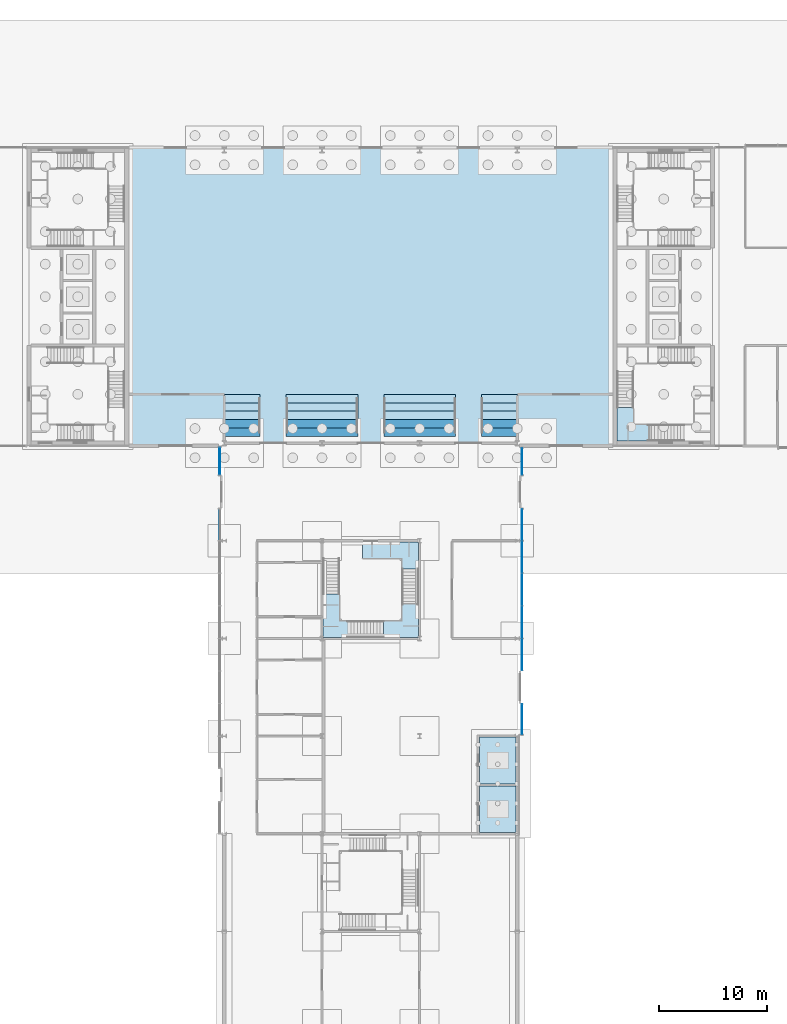
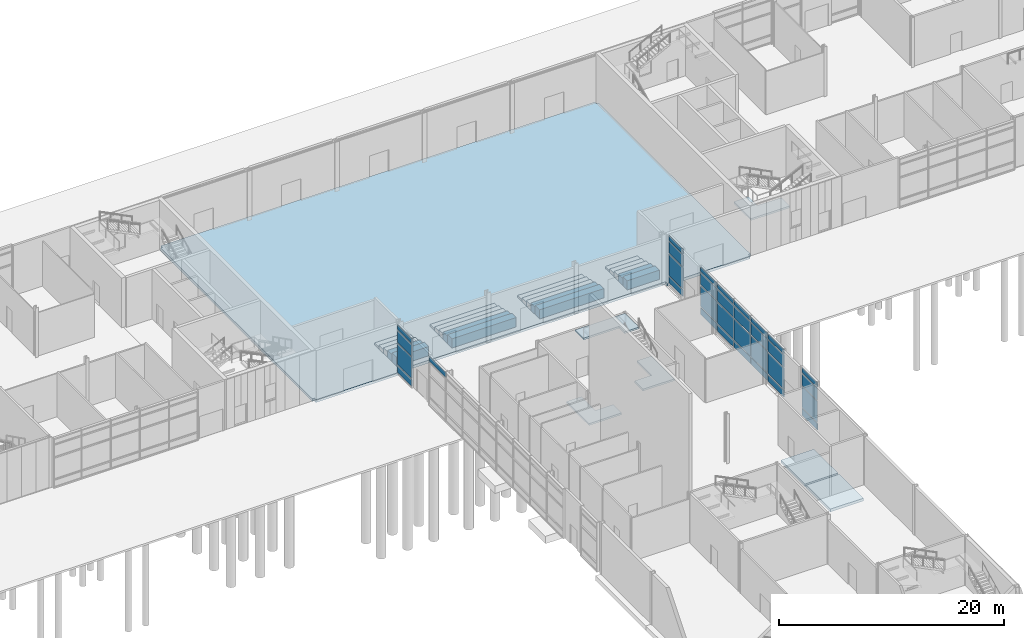
# One storey, part 23 of 45: 33 plates, 27 slabs, 7 elements without a shape of their own.
"""IFC4 building model written with IfcOpenShell, lengths in metres."""

from ifc_helpers import new_model, si_unit, direction, frame, origin, origin_2d, place, context, subcontext, project, spatial, polyline, rectangle, outline, extrude, material, layer, layer_set, type_object, element, aggregate, save


model = new_model("IFC4")

# Units and contexts
model_context = context("Model", 3, precision=1e-05, world=origin(), true_north=direction((0.0, 1.0)))
body_context = subcontext(model_context, "Body", "Model", "MODEL_VIEW")
ifc_project = project(units=[si_unit("LENGTHUNIT", "METRE"), si_unit("AREAUNIT", "SQUARE_METRE"), si_unit("VOLUMEUNIT", "CUBIC_METRE"), si_unit("PLANEANGLEUNIT", "RADIAN"), si_unit("MASSUNIT", "GRAM", prefix="KILO")], contexts=[model_context])

# Site, building, storey
site_placement = place(None, origin())
site = spatial("IfcSite", under=ifc_project, at=site_placement, CompositionType="ELEMENT")
building_placement = place(site_placement, origin())
building = spatial("IfcBuilding", under=site, at=building_placement, Name="Azimuth Sports and Learning Centre", CompositionType="ELEMENT")
storey_placement = place(building_placement, origin())
storey = spatial("IfcBuildingStorey", under=building, at=storey_placement, Name="L00", CompositionType="ELEMENT", Elevation=0.0)

# Stair, slab
ifc_material_1 = material(Name="Concrete C32/40", Category="concrete")
stair_type_1 = type_object("IfcStairType", Name="Square-well stair core 5400 storey", PredefinedType="THREE_QUARTER_TURN_STAIR", material=ifc_material_1)
stair_1_placement = place(storey_placement, origin())
stair_1 = element("IfcStair", 1, at=stair_1_placement, inside=storey, type_object=stair_type_1, Name="Stair E1 L00-L01", PredefinedType="THREE_QUARTER_TURN_STAIR")
ifc_material_2 = material(Name="Concrete C32/40", Category="concrete")
ifc_layer_1 = layer(ifc_material_2, 0.199951171875)
ifc_layer_set_1 = layer_set([ifc_layer_1], Name="Concrete C32/40")
slab_type_1 = type_object("IfcSlabType", Name="Concrete stair landing", PredefinedType="LANDING", material=ifc_layer_set_1)
slab_1_placement = place(storey_placement, frame((0.0, 0.0, 3.39990234375)))
slab_1 = element("IfcSlab", 2, at=slab_1_placement, type_object=slab_type_1, Name="Stair E1 L00 landing 2", PredefinedType="LANDING", context=body_context, shape_type="SweptSolid", body=[
    extrude(outline(polyline([(109.7099609375, 91.7099609375), (109.7099609375, 93.290771484375), (108.2099609375, 93.290771484375), (108.2099609375, 90.2099609375), (112.159912109375, 90.2099609375), (112.159912109375, 91.7099609375), (109.7099609375, 91.7099609375)])), origin(), (0.0, 0.0, 1.0), 0.2001953125),
])
aggregate(stair_1, [slab_1])

# Stair, slabs
ifc_material_3 = material(Name="Concrete C32/40", Category="concrete")
stair_type_2 = type_object("IfcStairType", Name="Square-well stair stem cell 5400 storey", PredefinedType="THREE_QUARTER_TURN_STAIR", material=ifc_material_3)
stair_2_placement = place(storey_placement, origin())
stair_2 = element("IfcStair", 3, at=stair_2_placement, inside=storey, type_object=stair_type_2, Name="Stair STD L00-L01", PredefinedType="THREE_QUARTER_TURN_STAIR")
slab_2_placement = place(storey_placement, frame((0.0, 0.0, 1.60009765625)))
slab_2 = element("IfcSlab", 4, at=slab_2_placement, type_object=slab_type_1, Name="Stair STD L00 landing 1", PredefinedType="LANDING", context=body_context, shape_type="SweptSolid", body=[
    extrude(outline(polyline([(82.610107421875, 73.610107421875), (82.610107421875, 76.0908203125), (81.110107421875, 76.0908203125), (81.110107421875, 72.110107421875), (84.4599609375, 72.110107421875), (84.4599609375, 73.610107421875), (82.610107421875, 73.610107421875)])), origin(), (0.0, 0.0, 1.0), 0.199951171875),
])
slab_3_placement = place(storey_placement, frame((0.0, 0.0, 3.39990234375)))
slab_3 = element("IfcSlab", 5, at=slab_3_placement, type_object=slab_type_1, Name="Stair STD L00 landing 2", PredefinedType="LANDING", context=body_context, shape_type="SweptSolid", body=[
    extrude(outline(polyline([(88.389892578125, 73.610107421875), (86.6591796875, 73.610107421875), (86.6591796875, 72.110107421875), (89.889892578125, 72.110107421875), (89.889892578125, 76.2099609375), (88.389892578125, 76.2099609375), (88.389892578125, 73.610107421875)])), origin(), (0.0, 0.0, 1.0), 0.2001953125),
])
slab_4_placement = place(storey_placement, frame((0.0, 0.0, 5.199951171875)))
slab_4 = element("IfcSlab", 6, at=slab_4_placement, type_object=slab_type_1, Name="Stair STD L00 landing 3", PredefinedType="LANDING", context=body_context, shape_type="SweptSolid", body=[
    extrude(outline(polyline([(88.389892578125, 79.389892578125), (88.389892578125, 78.4091796875), (89.889892578125, 78.4091796875), (89.889892578125, 80.889892578125), (84.75, 80.889892578125), (84.75, 79.389892578125), (88.389892578125, 79.389892578125)])), origin(), (0.0, 0.0, 1.0), 0.199951171875),
])
aggregate(stair_2, [slab_2, slab_3, slab_4])

# Slabs
ifc_material_4 = material(Name="Concrete C30/37", Category="concrete")
ifc_layer_2 = layer(ifc_material_4, 0.300048828125)
ifc_layer_set_2 = layer_set([ifc_layer_2], Name="Concrete C30/37")
slab_type_2 = type_object("IfcSlabType", Name="Hall ground slab 300", PredefinedType="BASESLAB", material=ifc_layer_set_2)
slab_5_placement = place(storey_placement, frame((0.0, 0.0, -0.300048828125)))
element("IfcSlab", 7, at=slab_5_placement, inside=storey, type_object=slab_type_2, Name="Slab HALL L00", PredefinedType="BASESLAB", context=body_context, shape_type="SweptSolid", body=[
    extrude(outline(polyline([(63.199951171875, 89.699951171875), (71.699951171875, 89.699951171875), (71.699951171875, 90.0), (99.300048828125, 90.0), (99.300048828125, 89.699951171875), (107.800048828125, 89.699951171875), (107.800048828125, 90.0), (108.0, 90.0), (108.0, 117.0), (107.800048828125, 117.0), (107.800048828125, 117.300048828125), (63.199951171875, 117.300048828125), (63.199951171875, 117.0), (63.0, 117.0), (63.0, 90.0), (63.199951171875, 90.0), (63.199951171875, 89.699951171875)])), origin(), (0.0, 0.0, 1.0), 0.300048828125),
])
ifc_material_5 = material(Name="Concrete C32/40", Category="concrete")
ifc_layer_3 = layer(ifc_material_5, 0.300048828125)
ifc_layer_set_3 = layer_set([ifc_layer_3], Name="Concrete C32/40")
slab_type_3 = type_object("IfcSlabType", Name="Lift pit slab 300", PredefinedType="BASESLAB", material=ifc_layer_set_3)
slab_6_placement = place(storey_placement, frame((0.0, 0.0, -1.89990234375)))
element("IfcSlab", 8, at=slab_6_placement, inside=storey, type_object=slab_type_3, Name="Lift pit floor LS1", PredefinedType="BASESLAB", context=body_context, shape_type="SweptSolid", body=[
    extrude(outline(polyline([(95.5, 54.10009765625), (98.89990234375, 54.10009765625), (98.89990234375, 58.39990234375), (95.5, 58.39990234375), (95.5, 54.10009765625)])), origin(), (0.0, 0.0, 1.0), 0.2998046875),
])
slab_7_placement = place(storey_placement, frame((0.0, 0.0, -1.89990234375)))
element("IfcSlab", 9, at=slab_7_placement, inside=storey, type_object=slab_type_3, Name="Lift pit floor LS2", PredefinedType="BASESLAB", context=body_context, shape_type="SweptSolid", body=[
    extrude(outline(polyline([(95.5, 58.60009765625), (98.89990234375, 58.60009765625), (98.89990234375, 62.89990234375), (95.5, 62.89990234375), (95.5, 58.60009765625)])), origin(), (0.0, 0.0, 1.0), 0.2998046875),
])
ifc_material_6 = material(Name="Retractable bank decking on a telescopic frame")
ifc_layer_4 = layer(ifc_material_6, 1.0)
ifc_layer_set_4 = layer_set([ifc_layer_4], Name="Retractable bank decking on a telescopic frame")
slab_type_4 = type_object("IfcSlabType", Name="Retractable bank step 1000", PredefinedType="FLOOR", material=ifc_layer_set_4)
slab_8_placement = place(storey_placement, origin())
element("IfcSlab", 10, at=slab_8_placement, inside=storey, type_object=slab_type_4, Name="Retractable bank A segment 1 step 5", PredefinedType="FLOOR", context=body_context, shape_type="SweptSolid", body=[
    extrude(outline(polyline([(72.0, 90.60009765625), (75.300048828125, 90.60009765625), (75.300048828125, 91.3798828125), (72.0, 91.3798828125), (72.0, 90.60009765625)])), origin(), (0.0, 0.0, 1.0), 1.0),
])
slab_9_placement = place(storey_placement, origin())
element("IfcSlab", 11, at=slab_9_placement, inside=storey, type_object=slab_type_4, Name="Retractable bank A segment 2 step 5", PredefinedType="FLOOR", context=body_context, shape_type="SweptSolid", body=[
    extrude(outline(polyline([(77.699951171875, 90.60009765625), (84.300048828125, 90.60009765625), (84.300048828125, 91.3798828125), (77.699951171875, 91.3798828125), (77.699951171875, 90.60009765625)])), origin(), (0.0, 0.0, 1.0), 1.0),
])
slab_10_placement = place(storey_placement, origin())
element("IfcSlab", 12, at=slab_10_placement, inside=storey, type_object=slab_type_4, Name="Retractable bank A segment 3 step 5", PredefinedType="FLOOR", context=body_context, shape_type="SweptSolid", body=[
    extrude(outline(polyline([(86.699951171875, 90.60009765625), (93.300048828125, 90.60009765625), (93.300048828125, 91.3798828125), (86.699951171875, 91.3798828125), (86.699951171875, 90.60009765625)])), origin(), (0.0, 0.0, 1.0), 1.0),
])
slab_11_placement = place(storey_placement, origin())
element("IfcSlab", 13, at=slab_11_placement, inside=storey, type_object=slab_type_4, Name="Retractable bank A segment 4 step 5", PredefinedType="FLOOR", context=body_context, shape_type="SweptSolid", body=[
    extrude(outline(polyline([(95.699951171875, 90.60009765625), (99.0, 90.60009765625), (99.0, 91.3798828125), (95.699951171875, 91.3798828125), (95.699951171875, 90.60009765625)])), origin(), (0.0, 0.0, 1.0), 1.0),
])
ifc_material_7 = material(Name="Retractable bank decking on a telescopic frame")
ifc_layer_5 = layer(ifc_material_7, 0.199951171875)
ifc_layer_set_5 = layer_set([ifc_layer_5], Name="Retractable bank decking on a telescopic frame")
slab_type_5 = type_object("IfcSlabType", Name="Retractable bank step 200", PredefinedType="FLOOR", material=ifc_layer_set_5)
slab_12_placement = place(storey_placement, origin())
element("IfcSlab", 14, at=slab_12_placement, inside=storey, type_object=slab_type_5, Name="Retractable bank A segment 1 step 1", PredefinedType="FLOOR", context=body_context, shape_type="SweptSolid", body=[
    extrude(outline(polyline([(72.0, 93.719970703125), (75.300048828125, 93.719970703125), (75.300048828125, 94.5), (72.0, 94.5), (72.0, 93.719970703125)])), origin(), (0.0, 0.0, 1.0), 0.199951171875),
])
slab_13_placement = place(storey_placement, origin())
element("IfcSlab", 15, at=slab_13_placement, inside=storey, type_object=slab_type_5, Name="Retractable bank A segment 2 step 1", PredefinedType="FLOOR", context=body_context, shape_type="SweptSolid", body=[
    extrude(outline(polyline([(77.699951171875, 93.719970703125), (84.300048828125, 93.719970703125), (84.300048828125, 94.5), (77.699951171875, 94.5), (77.699951171875, 93.719970703125)])), origin(), (0.0, 0.0, 1.0), 0.199951171875),
])
slab_14_placement = place(storey_placement, origin())
element("IfcSlab", 16, at=slab_14_placement, inside=storey, type_object=slab_type_5, Name="Retractable bank A segment 3 step 1", PredefinedType="FLOOR", context=body_context, shape_type="SweptSolid", body=[
    extrude(outline(polyline([(86.699951171875, 93.719970703125), (93.300048828125, 93.719970703125), (93.300048828125, 94.5), (86.699951171875, 94.5), (86.699951171875, 93.719970703125)])), origin(), (0.0, 0.0, 1.0), 0.199951171875),
])
slab_15_placement = place(storey_placement, origin())
element("IfcSlab", 17, at=slab_15_placement, inside=storey, type_object=slab_type_5, Name="Retractable bank A segment 4 step 1", PredefinedType="FLOOR", context=body_context, shape_type="SweptSolid", body=[
    extrude(outline(polyline([(95.699951171875, 93.719970703125), (99.0, 93.719970703125), (99.0, 94.5), (95.699951171875, 94.5), (95.699951171875, 93.719970703125)])), origin(), (0.0, 0.0, 1.0), 0.199951171875),
])
ifc_material_8 = material(Name="Retractable bank decking on a telescopic frame")
ifc_layer_6 = layer(ifc_material_8, 0.39990234375)
ifc_layer_set_6 = layer_set([ifc_layer_6], Name="Retractable bank decking on a telescopic frame")
slab_type_6 = type_object("IfcSlabType", Name="Retractable bank step 400", PredefinedType="FLOOR", material=ifc_layer_set_6)
slab_16_placement = place(storey_placement, origin())
element("IfcSlab", 18, at=slab_16_placement, inside=storey, type_object=slab_type_6, Name="Retractable bank A segment 1 step 2", PredefinedType="FLOOR", context=body_context, shape_type="SweptSolid", body=[
    extrude(outline(polyline([(72.0, 92.93994140625), (75.300048828125, 92.93994140625), (75.300048828125, 93.719970703125), (72.0, 93.719970703125), (72.0, 92.93994140625)])), origin(), (0.0, 0.0, 1.0), 0.39990234375),
])
slab_17_placement = place(storey_placement, origin())
element("IfcSlab", 19, at=slab_17_placement, inside=storey, type_object=slab_type_6, Name="Retractable bank A segment 2 step 2", PredefinedType="FLOOR", context=body_context, shape_type="SweptSolid", body=[
    extrude(outline(polyline([(77.699951171875, 92.93994140625), (84.300048828125, 92.93994140625), (84.300048828125, 93.719970703125), (77.699951171875, 93.719970703125), (77.699951171875, 92.93994140625)])), origin(), (0.0, 0.0, 1.0), 0.39990234375),
])
slab_18_placement = place(storey_placement, origin())
element("IfcSlab", 20, at=slab_18_placement, inside=storey, type_object=slab_type_6, Name="Retractable bank A segment 3 step 2", PredefinedType="FLOOR", context=body_context, shape_type="SweptSolid", body=[
    extrude(outline(polyline([(86.699951171875, 92.93994140625), (93.300048828125, 92.93994140625), (93.300048828125, 93.719970703125), (86.699951171875, 93.719970703125), (86.699951171875, 92.93994140625)])), origin(), (0.0, 0.0, 1.0), 0.39990234375),
])
slab_19_placement = place(storey_placement, origin())
element("IfcSlab", 21, at=slab_19_placement, inside=storey, type_object=slab_type_6, Name="Retractable bank A segment 4 step 2", PredefinedType="FLOOR", context=body_context, shape_type="SweptSolid", body=[
    extrude(outline(polyline([(95.699951171875, 92.93994140625), (99.0, 92.93994140625), (99.0, 93.719970703125), (95.699951171875, 93.719970703125), (95.699951171875, 92.93994140625)])), origin(), (0.0, 0.0, 1.0), 0.39990234375),
])
ifc_material_9 = material(Name="Retractable bank decking on a telescopic frame")
ifc_layer_7 = layer(ifc_material_9, 0.60009765625)
ifc_layer_set_7 = layer_set([ifc_layer_7], Name="Retractable bank decking on a telescopic frame")
slab_type_7 = type_object("IfcSlabType", Name="Retractable bank step 600", PredefinedType="FLOOR", material=ifc_layer_set_7)
slab_20_placement = place(storey_placement, origin())
element("IfcSlab", 22, at=slab_20_placement, inside=storey, type_object=slab_type_7, Name="Retractable bank A segment 1 step 3", PredefinedType="FLOOR", context=body_context, shape_type="SweptSolid", body=[
    extrude(outline(polyline([(72.0, 92.159912109375), (75.300048828125, 92.159912109375), (75.300048828125, 92.93994140625), (72.0, 92.93994140625), (72.0, 92.159912109375)])), origin(), (0.0, 0.0, 1.0), 0.60009765625),
])
slab_21_placement = place(storey_placement, origin())
element("IfcSlab", 23, at=slab_21_placement, inside=storey, type_object=slab_type_7, Name="Retractable bank A segment 2 step 3", PredefinedType="FLOOR", context=body_context, shape_type="SweptSolid", body=[
    extrude(outline(polyline([(77.699951171875, 92.159912109375), (84.300048828125, 92.159912109375), (84.300048828125, 92.93994140625), (77.699951171875, 92.93994140625), (77.699951171875, 92.159912109375)])), origin(), (0.0, 0.0, 1.0), 0.60009765625),
])
slab_22_placement = place(storey_placement, origin())
element("IfcSlab", 24, at=slab_22_placement, inside=storey, type_object=slab_type_7, Name="Retractable bank A segment 3 step 3", PredefinedType="FLOOR", context=body_context, shape_type="SweptSolid", body=[
    extrude(outline(polyline([(86.699951171875, 92.159912109375), (93.300048828125, 92.159912109375), (93.300048828125, 92.93994140625), (86.699951171875, 92.93994140625), (86.699951171875, 92.159912109375)])), origin(), (0.0, 0.0, 1.0), 0.60009765625),
])
slab_23_placement = place(storey_placement, origin())
element("IfcSlab", 25, at=slab_23_placement, inside=storey, type_object=slab_type_7, Name="Retractable bank A segment 4 step 3", PredefinedType="FLOOR", context=body_context, shape_type="SweptSolid", body=[
    extrude(outline(polyline([(95.699951171875, 92.159912109375), (99.0, 92.159912109375), (99.0, 92.93994140625), (95.699951171875, 92.93994140625), (95.699951171875, 92.159912109375)])), origin(), (0.0, 0.0, 1.0), 0.60009765625),
])
ifc_material_10 = material(Name="Retractable bank decking on a telescopic frame")
ifc_layer_8 = layer(ifc_material_10, 0.800048828125)
ifc_layer_set_8 = layer_set([ifc_layer_8], Name="Retractable bank decking on a telescopic frame")
slab_type_8 = type_object("IfcSlabType", Name="Retractable bank step 800", PredefinedType="FLOOR", material=ifc_layer_set_8)
slab_24_placement = place(storey_placement, origin())
element("IfcSlab", 26, at=slab_24_placement, inside=storey, type_object=slab_type_8, Name="Retractable bank A segment 1 step 4", PredefinedType="FLOOR", context=body_context, shape_type="SweptSolid", body=[
    extrude(outline(polyline([(72.0, 91.3798828125), (75.300048828125, 91.3798828125), (75.300048828125, 92.159912109375), (72.0, 92.159912109375), (72.0, 91.3798828125)])), origin(), (0.0, 0.0, 1.0), 0.800048828125),
])
slab_25_placement = place(storey_placement, origin())
element("IfcSlab", 27, at=slab_25_placement, inside=storey, type_object=slab_type_8, Name="Retractable bank A segment 2 step 4", PredefinedType="FLOOR", context=body_context, shape_type="SweptSolid", body=[
    extrude(outline(polyline([(77.699951171875, 91.3798828125), (84.300048828125, 91.3798828125), (84.300048828125, 92.159912109375), (77.699951171875, 92.159912109375), (77.699951171875, 91.3798828125)])), origin(), (0.0, 0.0, 1.0), 0.800048828125),
])
slab_26_placement = place(storey_placement, origin())
element("IfcSlab", 28, at=slab_26_placement, inside=storey, type_object=slab_type_8, Name="Retractable bank A segment 3 step 4", PredefinedType="FLOOR", context=body_context, shape_type="SweptSolid", body=[
    extrude(outline(polyline([(86.699951171875, 91.3798828125), (93.300048828125, 91.3798828125), (93.300048828125, 92.159912109375), (86.699951171875, 92.159912109375), (86.699951171875, 91.3798828125)])), origin(), (0.0, 0.0, 1.0), 0.800048828125),
])
slab_27_placement = place(storey_placement, origin())
element("IfcSlab", 29, at=slab_27_placement, inside=storey, type_object=slab_type_8, Name="Retractable bank A segment 4 step 4", PredefinedType="FLOOR", context=body_context, shape_type="SweptSolid", body=[
    extrude(outline(polyline([(95.699951171875, 91.3798828125), (99.0, 91.3798828125), (99.0, 92.159912109375), (95.699951171875, 92.159912109375), (95.699951171875, 91.3798828125)])), origin(), (0.0, 0.0, 1.0), 0.800048828125),
])

# Curtain wall, plates
ifc_material_11 = material(Name="Aluminium and glass", Category="aluminium")
curtain_wall_type = type_object("IfcCurtainWallType", Name="Curtain wall podium stem 240", PredefinedType="NOTDEFINED", material=ifc_material_11)
curtain_wall_1_placement = place(storey_placement, origin())
curtain_wall_1 = element("IfcCurtainWall", 30, at=curtain_wall_1_placement, inside=storey, type_object=curtain_wall_type, Name="Curtain wall CW00-003", PredefinedType="NOTDEFINED")
ifc_material_12 = material(Name="Insulated aluminium panel", Category="aluminium")
ifc_layer_9 = layer(ifc_material_12, 0.06005859375)
ifc_layer_set_9 = layer_set([ifc_layer_9], Name="Insulated aluminium panel")
plate_type_1 = type_object("IfcPlateType", Name="Spandrel panel 60 mm", PredefinedType="CURTAIN_PANEL", material=ifc_layer_set_9)
plate_1_placement = place(storey_placement, frame((71.580078125, 88.35009765625, 0.1201171875), z_axis=(0.0, 0.0, 1.0), x_axis=(0.0, -1.0, 0.0)))
plate_1 = element("IfcPlate", 31, at=plate_1_placement, type_object=plate_type_1, Name="CW00-003 panel 1.1", PredefinedType="CURTAIN_PANEL", context=body_context, shape_type="SweptSolid", body=[
    extrude(rectangle(XDim=2.5400390625, YDim=0.06005859375, at=origin_2d()), origin(), (0.0, 0.0, 1.0), 0.719970703125),
])
plate_2_placement = place(storey_placement, frame((71.580078125, 88.35009765625, 4.760009765625), z_axis=(0.0, 0.0, 1.0), x_axis=(0.0, -1.0, 0.0)))
plate_2 = element("IfcPlate", 32, at=plate_2_placement, type_object=plate_type_1, Name="CW00-003 panel 1.4", PredefinedType="CURTAIN_PANEL", context=body_context, shape_type="SweptSolid", body=[
    extrude(rectangle(XDim=2.5400390625, YDim=0.06005859375, at=origin_2d()), origin(), (0.0, 0.0, 1.0), 0.52001953125),
])

# Curtain wall, plate
curtain_wall_2_placement = place(storey_placement, origin())
curtain_wall_2 = element("IfcCurtainWall", 33, at=curtain_wall_2_placement, inside=storey, type_object=curtain_wall_type, Name="Curtain wall CW00-004", PredefinedType="NOTDEFINED")
plate_3_placement = place(storey_placement, frame((71.580078125, 82.47998046875, 4.760009765625), z_axis=(0.0, 0.0, 1.0), x_axis=(0.0, -1.0, 0.0)))
plate_3 = element("IfcPlate", 34, at=plate_3_placement, type_object=plate_type_1, Name="CW00-004 panel 1.4", PredefinedType="CURTAIN_PANEL", context=body_context, shape_type="SweptSolid", body=[
    extrude(rectangle(XDim=2.8798828125, YDim=0.06005859375, at=origin_2d()), origin(), (0.0, 0.0, 1.0), 0.52001953125),
])
aggregate(curtain_wall_2, [plate_3])

# Curtain wall, plates
curtain_wall_3_placement = place(storey_placement, origin())
curtain_wall_3 = element("IfcCurtainWall", 35, at=curtain_wall_3_placement, inside=storey, type_object=curtain_wall_type, Name="Curtain wall CW00-006", PredefinedType="NOTDEFINED")
plate_4_placement = place(storey_placement, frame((99.419921875, 64.550048828125, 0.1201171875), z_axis=(0.0, 0.0, 1.0), x_axis=(0.0, 1.0, 0.0)))
plate_4 = element("IfcPlate", 36, at=plate_4_placement, type_object=plate_type_1, Name="CW00-006 panel 1.1", PredefinedType="CURTAIN_PANEL", context=body_context, shape_type="SweptSolid", body=[
    extrude(rectangle(XDim=2.739990234375, YDim=0.06005859375, at=origin_2d()), origin(), (0.0, 0.0, 1.0), 0.719970703125),
])
plate_5_placement = place(storey_placement, frame((99.419921875, 64.550048828125, 4.760009765625), z_axis=(0.0, 0.0, 1.0), x_axis=(0.0, 1.0, 0.0)))
plate_5 = element("IfcPlate", 37, at=plate_5_placement, type_object=plate_type_1, Name="CW00-006 panel 1.4", PredefinedType="CURTAIN_PANEL", context=body_context, shape_type="SweptSolid", body=[
    extrude(rectangle(XDim=2.739990234375, YDim=0.06005859375, at=origin_2d()), origin(), (0.0, 0.0, 1.0), 0.52001953125),
])

curtain_wall_4_placement = place(storey_placement, origin())
curtain_wall_4 = element("IfcCurtainWall", 38, at=curtain_wall_4_placement, inside=storey, type_object=curtain_wall_type, Name="Curtain wall CW00-007", PredefinedType="NOTDEFINED")
plate_6_placement = place(storey_placement, frame((99.419921875, 70.52001953125, 0.1201171875), z_axis=(0.0, 0.0, 1.0), x_axis=(0.0, 1.0, 0.0)))
plate_6 = element("IfcPlate", 39, at=plate_6_placement, type_object=plate_type_1, Name="CW00-007 panel 1.1", PredefinedType="CURTAIN_PANEL", context=body_context, shape_type="SweptSolid", body=[
    extrude(rectangle(XDim=2.8798828125, YDim=0.06005859375, at=origin_2d()), origin(), (0.0, 0.0, 1.0), 0.719970703125),
])
plate_7_placement = place(storey_placement, frame((99.419921875, 70.52001953125, 4.760009765625), z_axis=(0.0, 0.0, 1.0), x_axis=(0.0, 1.0, 0.0)))
plate_7 = element("IfcPlate", 40, at=plate_7_placement, type_object=plate_type_1, Name="CW00-007 panel 1.4", PredefinedType="CURTAIN_PANEL", context=body_context, shape_type="SweptSolid", body=[
    extrude(rectangle(XDim=2.8798828125, YDim=0.06005859375, at=origin_2d()), origin(), (0.0, 0.0, 1.0), 0.52001953125),
])
plate_8_placement = place(storey_placement, frame((99.419921875, 73.5, 0.1201171875), z_axis=(0.0, 0.0, 1.0), x_axis=(0.0, 1.0, 0.0)))
plate_8 = element("IfcPlate", 41, at=plate_8_placement, type_object=plate_type_1, Name="CW00-007 panel 2.1", PredefinedType="CURTAIN_PANEL", context=body_context, shape_type="SweptSolid", body=[
    extrude(rectangle(XDim=2.919921875, YDim=0.06005859375, at=origin_2d()), origin(), (0.0, 0.0, 1.0), 0.719970703125),
])
plate_9_placement = place(storey_placement, frame((99.419921875, 73.5, 4.760009765625), z_axis=(0.0, 0.0, 1.0), x_axis=(0.0, 1.0, 0.0)))
plate_9 = element("IfcPlate", 42, at=plate_9_placement, type_object=plate_type_1, Name="CW00-007 panel 2.4", PredefinedType="CURTAIN_PANEL", context=body_context, shape_type="SweptSolid", body=[
    extrude(rectangle(XDim=2.919921875, YDim=0.06005859375, at=origin_2d()), origin(), (0.0, 0.0, 1.0), 0.52001953125),
])
plate_10_placement = place(storey_placement, frame((99.419921875, 76.5, 0.1201171875), z_axis=(0.0, 0.0, 1.0), x_axis=(0.0, 1.0, 0.0)))
plate_10 = element("IfcPlate", 43, at=plate_10_placement, type_object=plate_type_1, Name="CW00-007 panel 3.1", PredefinedType="CURTAIN_PANEL", context=body_context, shape_type="SweptSolid", body=[
    extrude(rectangle(XDim=2.919921875, YDim=0.06005859375, at=origin_2d()), origin(), (0.0, 0.0, 1.0), 0.719970703125),
])
plate_11_placement = place(storey_placement, frame((99.419921875, 76.5, 4.760009765625), z_axis=(0.0, 0.0, 1.0), x_axis=(0.0, 1.0, 0.0)))
plate_11 = element("IfcPlate", 44, at=plate_11_placement, type_object=plate_type_1, Name="CW00-007 panel 3.4", PredefinedType="CURTAIN_PANEL", context=body_context, shape_type="SweptSolid", body=[
    extrude(rectangle(XDim=2.919921875, YDim=0.06005859375, at=origin_2d()), origin(), (0.0, 0.0, 1.0), 0.52001953125),
])
plate_12_placement = place(storey_placement, frame((99.419921875, 79.5, 0.1201171875), z_axis=(0.0, 0.0, 1.0), x_axis=(0.0, 1.0, 0.0)))
plate_12 = element("IfcPlate", 45, at=plate_12_placement, type_object=plate_type_1, Name="CW00-007 panel 4.1", PredefinedType="CURTAIN_PANEL", context=body_context, shape_type="SweptSolid", body=[
    extrude(rectangle(XDim=2.919921875, YDim=0.06005859375, at=origin_2d()), origin(), (0.0, 0.0, 1.0), 0.719970703125),
])
plate_13_placement = place(storey_placement, frame((99.419921875, 79.5, 4.760009765625), z_axis=(0.0, 0.0, 1.0), x_axis=(0.0, 1.0, 0.0)))
plate_13 = element("IfcPlate", 46, at=plate_13_placement, type_object=plate_type_1, Name="CW00-007 panel 4.4", PredefinedType="CURTAIN_PANEL", context=body_context, shape_type="SweptSolid", body=[
    extrude(rectangle(XDim=2.919921875, YDim=0.06005859375, at=origin_2d()), origin(), (0.0, 0.0, 1.0), 0.52001953125),
])
plate_14_placement = place(storey_placement, frame((99.419921875, 82.47998046875, 0.1201171875), z_axis=(0.0, 0.0, 1.0), x_axis=(0.0, 1.0, 0.0)))
plate_14 = element("IfcPlate", 47, at=plate_14_placement, type_object=plate_type_1, Name="CW00-007 panel 5.1", PredefinedType="CURTAIN_PANEL", context=body_context, shape_type="SweptSolid", body=[
    extrude(rectangle(XDim=2.8798828125, YDim=0.06005859375, at=origin_2d()), origin(), (0.0, 0.0, 1.0), 0.719970703125),
])
plate_15_placement = place(storey_placement, frame((99.419921875, 82.47998046875, 4.760009765625), z_axis=(0.0, 0.0, 1.0), x_axis=(0.0, 1.0, 0.0)))
plate_15 = element("IfcPlate", 48, at=plate_15_placement, type_object=plate_type_1, Name="CW00-007 panel 5.4", PredefinedType="CURTAIN_PANEL", context=body_context, shape_type="SweptSolid", body=[
    extrude(rectangle(XDim=2.8798828125, YDim=0.06005859375, at=origin_2d()), origin(), (0.0, 0.0, 1.0), 0.52001953125),
])

curtain_wall_5_placement = place(storey_placement, origin())
curtain_wall_5 = element("IfcCurtainWall", 49, at=curtain_wall_5_placement, inside=storey, type_object=curtain_wall_type, Name="Curtain wall CW00-008", PredefinedType="NOTDEFINED")
plate_16_placement = place(storey_placement, frame((99.419921875, 88.304931640625, 0.1201171875), z_axis=(0.0, 0.0, 1.0), x_axis=(0.0, 1.0, 0.0)))
plate_16 = element("IfcPlate", 50, at=plate_16_placement, type_object=plate_type_1, Name="CW00-008 panel 1.1", PredefinedType="CURTAIN_PANEL", context=body_context, shape_type="SweptSolid", body=[
    extrude(rectangle(XDim=2.449951171875, YDim=0.06005859375, at=origin_2d()), origin(), (0.0, 0.0, 1.0), 0.719970703125),
])
plate_17_placement = place(storey_placement, frame((99.419921875, 88.304931640625, 4.760009765625), z_axis=(0.0, 0.0, 1.0), x_axis=(0.0, 1.0, 0.0)))
plate_17 = element("IfcPlate", 51, at=plate_17_placement, type_object=plate_type_1, Name="CW00-008 panel 1.4", PredefinedType="CURTAIN_PANEL", context=body_context, shape_type="SweptSolid", body=[
    extrude(rectangle(XDim=2.449951171875, YDim=0.06005859375, at=origin_2d()), origin(), (0.0, 0.0, 1.0), 0.52001953125),
])

# Plate
ifc_material_13 = material(Name="Glass", Category="glass")
ifc_layer_10 = layer(ifc_material_13, 0.0439453125)
ifc_layer_set_10 = layer_set([ifc_layer_10], Name="Glass")
plate_type_2 = type_object("IfcPlateType", Name="Vision glass 44 mm", PredefinedType="CURTAIN_PANEL", material=ifc_layer_set_10)
plate_18_placement = place(storey_placement, frame((71.580078125, 88.35009765625, 0.9599609375), z_axis=(0.0, 0.0, 1.0), x_axis=(0.0, -1.0, 0.0)))
plate_18 = element("IfcPlate", 52, at=plate_18_placement, type_object=plate_type_2, Name="CW00-003 panel 1.2", PredefinedType="CURTAIN_PANEL", context=body_context, shape_type="SweptSolid", body=[
    extrude(rectangle(XDim=2.5400390625, YDim=0.0439453125, at=origin_2d()), origin(), (0.0, 0.0, 1.0), 2.280029296875),
])

plate_19_placement = place(storey_placement, frame((71.580078125, 88.35009765625, 3.35986328125), z_axis=(0.0, 0.0, 1.0), x_axis=(0.0, -1.0, 0.0)))
plate_19 = element("IfcPlate", 53, at=plate_19_placement, type_object=plate_type_2, Name="CW00-003 panel 1.3", PredefinedType="CURTAIN_PANEL", context=body_context, shape_type="SweptSolid", body=[
    extrude(rectangle(XDim=2.5400390625, YDim=0.0439453125, at=origin_2d()), origin(), (0.0, 0.0, 1.0), 1.280029296875),
])

aggregate(curtain_wall_1, [plate_1, plate_18, plate_19, plate_2])

plate_20_placement = place(storey_placement, frame((99.419921875, 64.550048828125, 0.9599609375), z_axis=(0.0, 0.0, 1.0), x_axis=(0.0, 1.0, 0.0)))
plate_20 = element("IfcPlate", 54, at=plate_20_placement, type_object=plate_type_2, Name="CW00-006 panel 1.2", PredefinedType="CURTAIN_PANEL", context=body_context, shape_type="SweptSolid", body=[
    extrude(rectangle(XDim=2.739990234375, YDim=0.0439453125, at=origin_2d()), origin(), (0.0, 0.0, 1.0), 2.280029296875),
])

plate_21_placement = place(storey_placement, frame((99.419921875, 64.550048828125, 3.35986328125), z_axis=(0.0, 0.0, 1.0), x_axis=(0.0, 1.0, 0.0)))
plate_21 = element("IfcPlate", 55, at=plate_21_placement, type_object=plate_type_2, Name="CW00-006 panel 1.3", PredefinedType="CURTAIN_PANEL", context=body_context, shape_type="SweptSolid", body=[
    extrude(rectangle(XDim=2.739990234375, YDim=0.0439453125, at=origin_2d()), origin(), (0.0, 0.0, 1.0), 1.280029296875),
])

aggregate(curtain_wall_3, [plate_4, plate_20, plate_21, plate_5])

plate_22_placement = place(storey_placement, frame((99.419921875, 70.52001953125, 0.9599609375), z_axis=(0.0, 0.0, 1.0), x_axis=(0.0, 1.0, 0.0)))
plate_22 = element("IfcPlate", 56, at=plate_22_placement, type_object=plate_type_2, Name="CW00-007 panel 1.2", PredefinedType="CURTAIN_PANEL", context=body_context, shape_type="SweptSolid", body=[
    extrude(rectangle(XDim=2.8798828125, YDim=0.0439453125, at=origin_2d()), origin(), (0.0, 0.0, 1.0), 2.280029296875),
])

plate_23_placement = place(storey_placement, frame((99.419921875, 70.52001953125, 3.35986328125), z_axis=(0.0, 0.0, 1.0), x_axis=(0.0, 1.0, 0.0)))
plate_23 = element("IfcPlate", 57, at=plate_23_placement, type_object=plate_type_2, Name="CW00-007 panel 1.3", PredefinedType="CURTAIN_PANEL", context=body_context, shape_type="SweptSolid", body=[
    extrude(rectangle(XDim=2.8798828125, YDim=0.0439453125, at=origin_2d()), origin(), (0.0, 0.0, 1.0), 1.280029296875),
])

plate_24_placement = place(storey_placement, frame((99.419921875, 73.5, 0.9599609375), z_axis=(0.0, 0.0, 1.0), x_axis=(0.0, 1.0, 0.0)))
plate_24 = element("IfcPlate", 58, at=plate_24_placement, type_object=plate_type_2, Name="CW00-007 panel 2.2", PredefinedType="CURTAIN_PANEL", context=body_context, shape_type="SweptSolid", body=[
    extrude(rectangle(XDim=2.919921875, YDim=0.0439453125, at=origin_2d()), origin(), (0.0, 0.0, 1.0), 2.280029296875),
])

plate_25_placement = place(storey_placement, frame((99.419921875, 73.5, 3.35986328125), z_axis=(0.0, 0.0, 1.0), x_axis=(0.0, 1.0, 0.0)))
plate_25 = element("IfcPlate", 59, at=plate_25_placement, type_object=plate_type_2, Name="CW00-007 panel 2.3", PredefinedType="CURTAIN_PANEL", context=body_context, shape_type="SweptSolid", body=[
    extrude(rectangle(XDim=2.919921875, YDim=0.0439453125, at=origin_2d()), origin(), (0.0, 0.0, 1.0), 1.280029296875),
])

plate_26_placement = place(storey_placement, frame((99.419921875, 76.5, 0.9599609375), z_axis=(0.0, 0.0, 1.0), x_axis=(0.0, 1.0, 0.0)))
plate_26 = element("IfcPlate", 60, at=plate_26_placement, type_object=plate_type_2, Name="CW00-007 panel 3.2", PredefinedType="CURTAIN_PANEL", context=body_context, shape_type="SweptSolid", body=[
    extrude(rectangle(XDim=2.919921875, YDim=0.0439453125, at=origin_2d()), origin(), (0.0, 0.0, 1.0), 2.280029296875),
])

plate_27_placement = place(storey_placement, frame((99.419921875, 76.5, 3.35986328125), z_axis=(0.0, 0.0, 1.0), x_axis=(0.0, 1.0, 0.0)))
plate_27 = element("IfcPlate", 61, at=plate_27_placement, type_object=plate_type_2, Name="CW00-007 panel 3.3", PredefinedType="CURTAIN_PANEL", context=body_context, shape_type="SweptSolid", body=[
    extrude(rectangle(XDim=2.919921875, YDim=0.0439453125, at=origin_2d()), origin(), (0.0, 0.0, 1.0), 1.280029296875),
])

plate_28_placement = place(storey_placement, frame((99.419921875, 79.5, 0.9599609375), z_axis=(0.0, 0.0, 1.0), x_axis=(0.0, 1.0, 0.0)))
plate_28 = element("IfcPlate", 62, at=plate_28_placement, type_object=plate_type_2, Name="CW00-007 panel 4.2", PredefinedType="CURTAIN_PANEL", context=body_context, shape_type="SweptSolid", body=[
    extrude(rectangle(XDim=2.919921875, YDim=0.0439453125, at=origin_2d()), origin(), (0.0, 0.0, 1.0), 2.280029296875),
])

plate_29_placement = place(storey_placement, frame((99.419921875, 79.5, 3.35986328125), z_axis=(0.0, 0.0, 1.0), x_axis=(0.0, 1.0, 0.0)))
plate_29 = element("IfcPlate", 63, at=plate_29_placement, type_object=plate_type_2, Name="CW00-007 panel 4.3", PredefinedType="CURTAIN_PANEL", context=body_context, shape_type="SweptSolid", body=[
    extrude(rectangle(XDim=2.919921875, YDim=0.0439453125, at=origin_2d()), origin(), (0.0, 0.0, 1.0), 1.280029296875),
])

plate_30_placement = place(storey_placement, frame((99.419921875, 82.47998046875, 0.9599609375), z_axis=(0.0, 0.0, 1.0), x_axis=(0.0, 1.0, 0.0)))
plate_30 = element("IfcPlate", 64, at=plate_30_placement, type_object=plate_type_2, Name="CW00-007 panel 5.2", PredefinedType="CURTAIN_PANEL", context=body_context, shape_type="SweptSolid", body=[
    extrude(rectangle(XDim=2.8798828125, YDim=0.0439453125, at=origin_2d()), origin(), (0.0, 0.0, 1.0), 2.280029296875),
])

plate_31_placement = place(storey_placement, frame((99.419921875, 82.47998046875, 3.35986328125), z_axis=(0.0, 0.0, 1.0), x_axis=(0.0, 1.0, 0.0)))
plate_31 = element("IfcPlate", 65, at=plate_31_placement, type_object=plate_type_2, Name="CW00-007 panel 5.3", PredefinedType="CURTAIN_PANEL", context=body_context, shape_type="SweptSolid", body=[
    extrude(rectangle(XDim=2.8798828125, YDim=0.0439453125, at=origin_2d()), origin(), (0.0, 0.0, 1.0), 1.280029296875),
])

aggregate(curtain_wall_4, [plate_6, plate_22, plate_23, plate_7, plate_8, plate_24, plate_25, plate_9, plate_10, plate_26, plate_27, plate_11, plate_12, plate_28, plate_29, plate_13, plate_14, plate_30, plate_31, plate_15])

plate_32_placement = place(storey_placement, frame((99.419921875, 88.304931640625, 0.9599609375), z_axis=(0.0, 0.0, 1.0), x_axis=(0.0, 1.0, 0.0)))
plate_32 = element("IfcPlate", 66, at=plate_32_placement, type_object=plate_type_2, Name="CW00-008 panel 1.2", PredefinedType="CURTAIN_PANEL", context=body_context, shape_type="SweptSolid", body=[
    extrude(rectangle(XDim=2.449951171875, YDim=0.0439453125, at=origin_2d()), origin(), (0.0, 0.0, 1.0), 2.280029296875),
])

plate_33_placement = place(storey_placement, frame((99.419921875, 88.304931640625, 3.35986328125), z_axis=(0.0, 0.0, 1.0), x_axis=(0.0, 1.0, 0.0)))
plate_33 = element("IfcPlate", 67, at=plate_33_placement, type_object=plate_type_2, Name="CW00-008 panel 1.3", PredefinedType="CURTAIN_PANEL", context=body_context, shape_type="SweptSolid", body=[
    extrude(rectangle(XDim=2.449951171875, YDim=0.0439453125, at=origin_2d()), origin(), (0.0, 0.0, 1.0), 1.280029296875),
])

aggregate(curtain_wall_5, [plate_16, plate_32, plate_33, plate_17])

save(model, "model.ifc")
